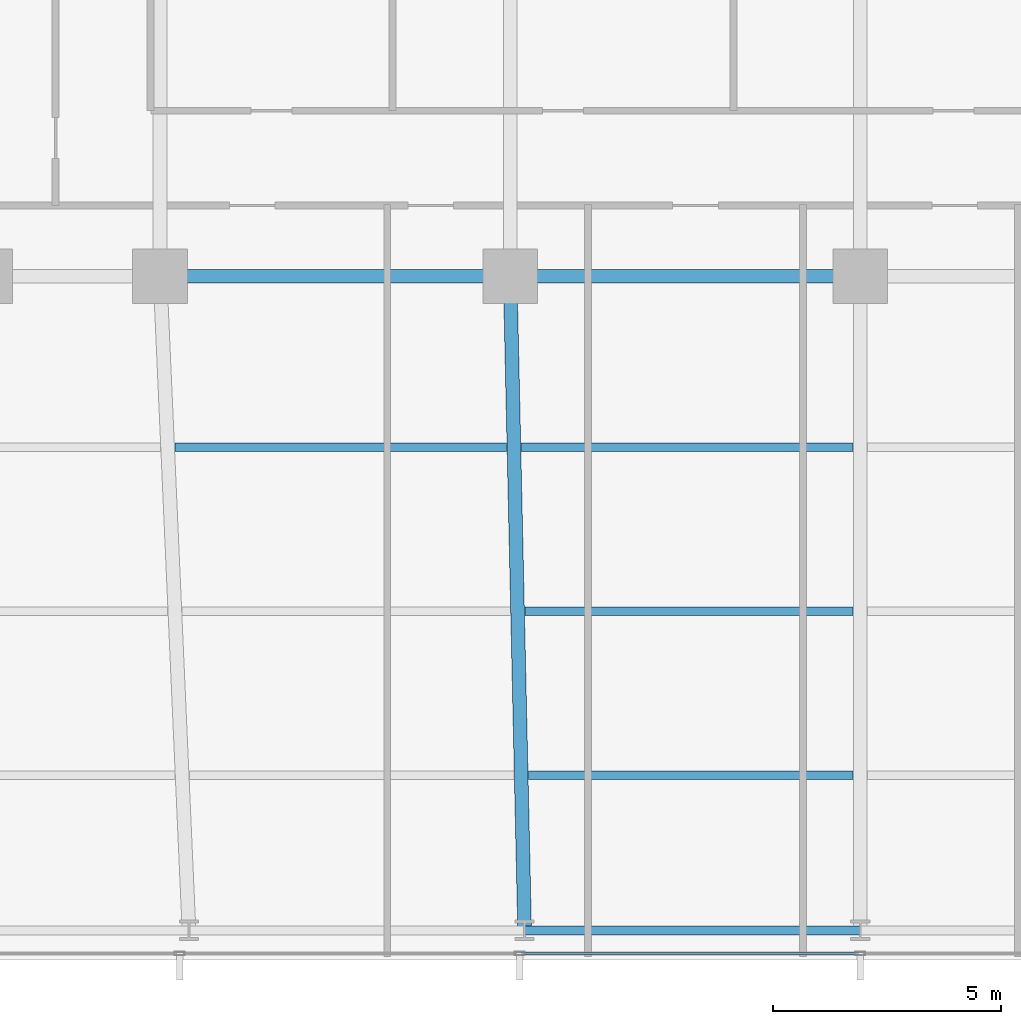
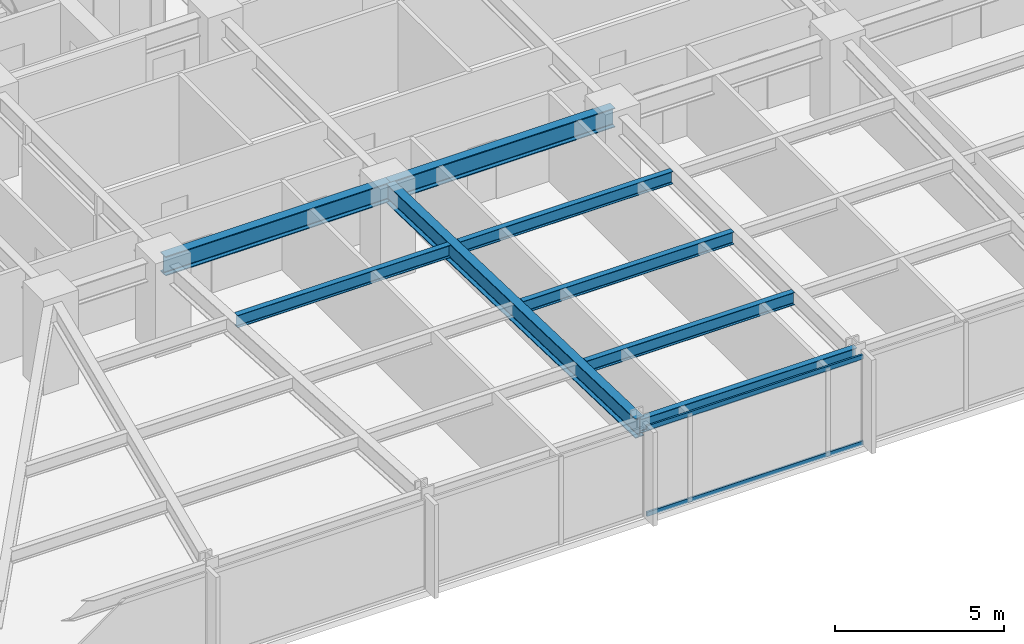
# One storey, part 6 of 32: 8 beams, 2 members, 1 element without a shape of its own.
"""IFC4 building model written with IfcOpenShell, lengths in metres."""

from ifc_helpers import new_model, si_unit, direction, frame, origin, origin_2d, place, context, subcontext, project, spatial, hollow_rectangle, i_section, extrude, material, material_profile, profile_set, type_object, element, aggregate, save


model = new_model("IFC4")

# Units and contexts
model_context = context("Model", 3, precision=1e-05, world=origin(), true_north=direction((0.0, 1.0)))
body_context = subcontext(model_context, "Body", "Model", "MODEL_VIEW")
ifc_project = project(units=[si_unit("LENGTHUNIT", "METRE"), si_unit("AREAUNIT", "SQUARE_METRE"), si_unit("VOLUMEUNIT", "CUBIC_METRE"), si_unit("PLANEANGLEUNIT", "RADIAN"), si_unit("MASSUNIT", "GRAM", prefix="KILO")], contexts=[model_context])

# Site, building, storey
site_placement = place(None, origin())
site = spatial("IfcSite", under=ifc_project, at=site_placement, CompositionType="ELEMENT")
building_placement = place(site_placement, origin())
building = spatial("IfcBuilding", under=site, at=building_placement, Name="Yelkora Congress Tower", CompositionType="ELEMENT")
storey_placement = place(building_placement, frame((0.0, 0.0, 61.0)))
storey = spatial("IfcBuildingStorey", under=building, at=storey_placement, Name="L15", CompositionType="ELEMENT", Elevation=61.0)

# Beams
ifc_material_1 = material(Name="Steel S355J2", Category="steel")
ifc_material_profile_1 = material_profile(ifc_material_1, i_section(OverallWidth=0.300048828125, OverallDepth=0.699951171875, WebThickness=0.01708984375, FlangeThickness=0.031982421875, FilletRadius=0.027099609375, at=origin_2d()), Name="HEB 700")
ifc_profile_set_1 = profile_set([ifc_material_profile_1], Name="Steel S355J2")
beam_type_1 = type_object("IfcBeamType", Name="BM-GIRD-HEB700", PredefinedType="BEAM", material=ifc_profile_set_1)
for number, where, z_axis, x_axis, name in (
    (1, (23.0400390625, 25.199951171875, 2.830078125), (1.0, 0.0, 0.0), (0.0, 1.0, 0.0), "L15 Spine Grid D Girder 2"),
    (2, (30.719970703125, 25.199951171875, 2.830078125), (1.0, 0.0, 0.0), (0.0, 1.0, 0.0), "L15 Spine Grid D Girder 3"),
):
    element("IfcBeam", number, at=place(storey_placement, frame(where, z_axis=z_axis, x_axis=x_axis)), inside=storey, type_object=beam_type_1, Name=name, PredefinedType="BEAM", context=body_context, shape_type="SweptSolid", body=[
        extrude(i_section(OverallWidth=0.300048828125, OverallDepth=0.699951171875, WebThickness=0.01708984375, FlangeThickness=0.031982421875, FilletRadius=0.027099609375, at=origin_2d()), origin(), (0.0, 0.0, 1.0), 7.679931640625),
    ])
beam_1_placement = place(storey_placement, frame((31.03759765625, 10.85009765625, 2.830078125), z_axis=(-0.022129088136, 0.999755121746, 0.0), x_axis=(-0.999755121746, -0.022129088136, 0.0)))
element("IfcBeam", 3, at=beam_1_placement, inside=storey, type_object=beam_type_1, Name="L15 Primary Frame Girder S04", PredefinedType="BEAM", context=body_context, shape_type="SweptSolid", body=[
    extrude(i_section(OverallWidth=0.300048828125, OverallDepth=0.699951171875, WebThickness=0.01708984375, FlangeThickness=0.031982421875, FilletRadius=0.027099609375, at=origin_2d()), origin(), (0.0, 0.0, 1.0), 14.353271484375),
])
ifc_material_profile_2 = material_profile(ifc_material_1, i_section(OverallWidth=0.18994140625, OverallDepth=0.449951171875, WebThickness=0.009521484375, FlangeThickness=0.0146484375, FilletRadius=0.02099609375, at=origin_2d()), Name="IPE 450")
ifc_profile_set_2 = profile_set([ifc_material_profile_2], Name="Steel S355J2")
beam_type_2 = type_object("IfcBeamType", Name="BM-JOIST-IPE450", PredefinedType="JOIST", material=ifc_profile_set_2)
beam_2_placement = place(storey_placement, frame((31.122314453125, 14.25, 2.955078125), z_axis=(1.0, 0.0, 0.0), x_axis=(0.0, 1.0, 0.0)))
element("IfcBeam", 4, at=beam_2_placement, inside=storey, type_object=beam_type_2, Name="L15 Composite Floor Joist 4", PredefinedType="JOIST", context=body_context, shape_type="SweptSolid", body=[
    extrude(i_section(OverallWidth=0.18994140625, OverallDepth=0.449951171875, WebThickness=0.009521484375, FlangeThickness=0.0146484375, FilletRadius=0.02099609375, at=origin_2d()), origin(), (0.0, 0.0, 1.0), 7.11767578125),
])
beam_3_placement = place(storey_placement, frame((31.04248046875, 17.85009765625, 2.955078125), z_axis=(1.0, 0.0, 0.0), x_axis=(0.0, 1.0, 0.0)))
element("IfcBeam", 5, at=beam_3_placement, inside=storey, type_object=beam_type_2, Name="L15 Composite Floor Joist 12", PredefinedType="JOIST", context=body_context, shape_type="SweptSolid", body=[
    extrude(i_section(OverallWidth=0.18994140625, OverallDepth=0.449951171875, WebThickness=0.009521484375, FlangeThickness=0.0146484375, FilletRadius=0.02099609375, at=origin_2d()), origin(), (0.0, 0.0, 1.0), 7.197509765625),
])
for number, where, z_axis, x_axis, name in (
    (6, (23.365966796875, 21.449951171875, 2.955078125), (1.0, 0.0, 0.0), (0.0, 1.0, 0.0), "L15 Composite Floor Joist 18"),
    (7, (30.962890625, 21.449951171875, 2.955078125), (1.0, 0.0, 0.0), (0.0, 1.0, 0.0), "L15 Composite Floor Joist 19"),
):
    element("IfcBeam", number, at=place(storey_placement, frame(where, z_axis=z_axis, x_axis=x_axis)), inside=storey, type_object=beam_type_2, Name=name, PredefinedType="JOIST", context=body_context, shape_type="SweptSolid", body=[
        extrude(i_section(OverallWidth=0.18994140625, OverallDepth=0.449951171875, WebThickness=0.009521484375, FlangeThickness=0.0146484375, FilletRadius=0.02099609375, at=origin_2d()), origin(), (0.0, 0.0, 1.0), 7.277099609375),
    ])
ifc_material_profile_3 = material_profile(ifc_material_1, i_section(OverallWidth=0.199951171875, OverallDepth=0.5, WebThickness=0.01025390625, FlangeThickness=0.01611328125, FilletRadius=0.02099609375, at=origin_2d()), Name="IPE 500")
ifc_profile_set_3 = profile_set([ifc_material_profile_3], Name="Steel S355J2")
beam_type_3 = type_object("IfcBeamType", Name="BM-SPAN-IPE500", PredefinedType="SPANDREL", material=ifc_profile_set_3)
beam_4_placement = place(storey_placement, frame((31.03759765625, 10.85009765625, 2.929931640625), z_axis=(1.0, 0.0, 0.0), x_axis=(0.0, 1.0, 0.0)))
element("IfcBeam", 8, at=beam_4_placement, inside=storey, type_object=beam_type_3, Name="L15 Perimeter Beam 5", PredefinedType="SPANDREL", context=body_context, shape_type="SweptSolid", body=[
    extrude(i_section(OverallWidth=0.199951171875, OverallDepth=0.5, WebThickness=0.01025390625, FlangeThickness=0.01611328125, FilletRadius=0.02099609375, at=origin_2d()), origin(), (0.0, 0.0, 1.0), 7.3623046875),
])

# Curtain wall, members
ifc_material_2 = material(Name="Anodised aluminium and insulated glass", Category="aluminium")
curtain_wall_type = type_object("IfcCurtainWallType", Name="CW-SYS-B1", PredefinedType="NOTDEFINED", material=ifc_material_2)
curtain_wall_placement = place(storey_placement, origin())
curtain_wall = element("IfcCurtainWall", 9, at=curtain_wall_placement, inside=storey, type_object=curtain_wall_type, Name="L15 Unitised Curtain Wall 20", PredefinedType="NOTDEFINED")
ifc_material_3 = material(Name="Anodised aluminium 6063-T6", Category="aluminium")
ifc_material_profile_4 = material_profile(ifc_material_3, hollow_rectangle(XDim=0.06494140625, YDim=0.159912109375, WallThickness=0.00390625, at=origin_2d()), Name="ALU 65x160x4")
ifc_profile_set_4 = profile_set([ifc_material_profile_4], Name="Anodised aluminium 6063-T6")
member_type = type_object("IfcMemberType", Name="MEM-TR-B1", PredefinedType="USERDEFINED", material=ifc_profile_set_4)
member_1_placement = place(storey_placement, frame((38.362548828125, 10.340087890625, 0.032470703125), z_axis=(-1.0, 0.0, 0.0), x_axis=(0.0, -1.0, 0.0)))
member_1 = element("IfcMember", 10, at=member_1_placement, type_object=member_type, Name="CW-B1 transom 5.1", ObjectType="TRANSOM", PredefinedType="USERDEFINED", context=body_context, shape_type="SweptSolid", body=[
    extrude(hollow_rectangle(XDim=0.06494140625, YDim=0.159912109375, WallThickness=0.00390625, at=origin_2d()), origin(), (0.0, 0.0, 1.0), 7.39013671875),
])
member_2_placement = place(storey_placement, frame((38.362548828125, 10.340087890625, 3.1474609375), z_axis=(-1.0, 0.0, 0.0), x_axis=(0.0, -1.0, 0.0)))
member_2 = element("IfcMember", 11, at=member_2_placement, type_object=member_type, Name="CW-B1 transom 5.2", ObjectType="TRANSOM", PredefinedType="USERDEFINED", context=body_context, shape_type="SweptSolid", body=[
    extrude(hollow_rectangle(XDim=0.06494140625, YDim=0.159912109375, WallThickness=0.00390625, at=origin_2d()), origin(), (0.0, 0.0, 1.0), 7.39013671875),
])
aggregate(curtain_wall, [member_1, member_2])

save(model, "model.ifc")
